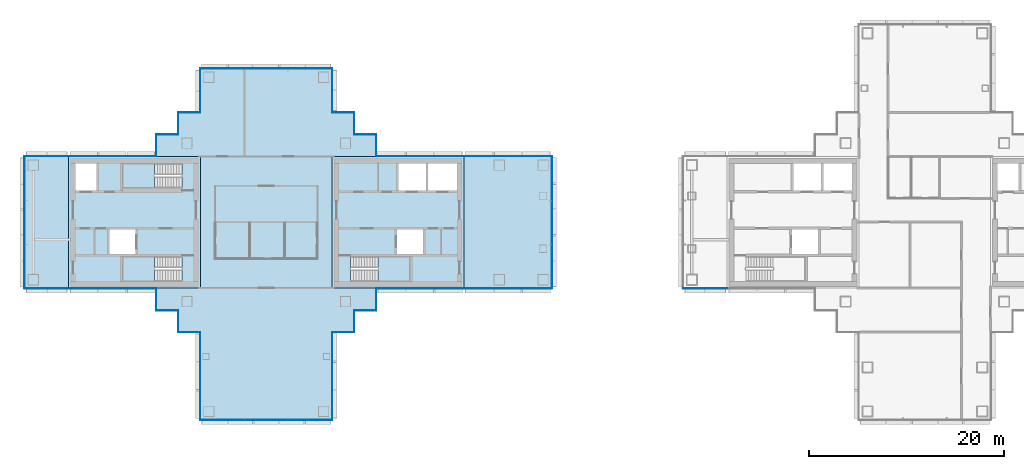
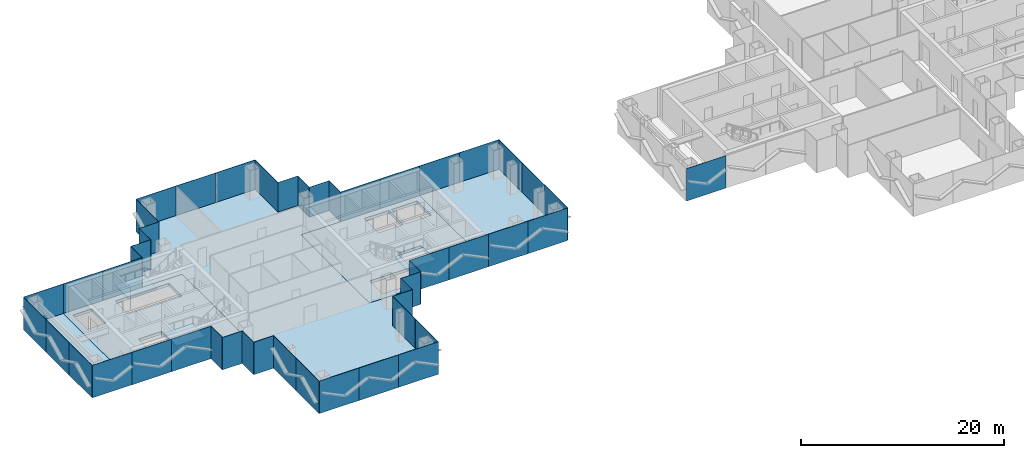
# One storey, part 7 of 16: 49 plates, 8 slabs, 24 elements without a shape of their own.
"""IFC4 building model written with IfcOpenShell, lengths in metres."""

from ifc_helpers import new_model, si_unit, direction, frame, origin, origin_2d, place, context, subcontext, project, spatial, polyline, rectangle, outline, extrude, material, layer, layer_set, type_object, element, aggregate, save


model = new_model("IFC4")

# Units and contexts
model_context = context("Model", 3, precision=1e-05, world=origin(), true_north=direction((0.0, 1.0)))
body_context = subcontext(model_context, "Body", "Model", "MODEL_VIEW")
ifc_project = project(units=[si_unit("LENGTHUNIT", "METRE"), si_unit("AREAUNIT", "SQUARE_METRE"), si_unit("VOLUMEUNIT", "CUBIC_METRE"), si_unit("PLANEANGLEUNIT", "RADIAN"), si_unit("MASSUNIT", "GRAM", prefix="KILO")], contexts=[model_context])

# Site, building, storey
site_placement = place(None, origin())
site = spatial("IfcSite", under=ifc_project, at=site_placement, CompositionType="ELEMENT")
building_placement = place(site_placement, origin())
building = spatial("IfcBuilding", under=site, at=building_placement, Name="Shamsa Quay Exchange Towers", CompositionType="ELEMENT")
storey_placement = place(building_placement, frame((0.0, 0.0, 162.300048828125)))
storey = spatial("IfcBuildingStorey", under=building, at=storey_placement, Name="L38", CompositionType="ELEMENT", Elevation=162.300048828125)

# Slabs
ifc_material_1 = material(Name="Concrete C50/60", Category="concrete")
ifc_layer_1 = layer(ifc_material_1, 0.35009765625)
ifc_layer_set_1 = layer_set([ifc_layer_1], Name="CORE FLOOR 350 C50/60")
slab_type_1 = type_object("IfcSlabType", Name="CORE FLOOR 350 C50/60", PredefinedType="FLOOR", material=ifc_layer_set_1)
slab_1_placement = place(storey_placement, frame((0.0, 0.0, -0.35009765625)))
element("IfcSlab", 1, at=slab_1_placement, inside=storey, type_object=slab_type_1, Name="Core floor T1A", PredefinedType="FLOOR", context=body_context, shape_type="SweptSolid", body=[
    extrude(outline(polyline([(-27.0, -6.75), (-13.5, -6.75), (-13.5, 6.75), (-27.0, 6.75), (-27.0, -6.75)]), holes=[polyline([(-25.099365234375, -6.050048828125), (-25.099365234375, -3.5), (-19.0, -3.5), (-19.0, -6.050048828125), (-25.099365234375, -6.050048828125)]), polyline([(-20.199951171875, 3.25), (-20.199951171875, 6.050048828125), (-17.39990234375, 6.050048828125), (-17.39990234375, 3.25), (-20.199951171875, 3.25)]), polyline([(-17.14990234375, 3.25), (-17.14990234375, 6.050048828125), (-14.199951171875, 6.050048828125), (-14.199951171875, 3.25), (-17.14990234375, 3.25)]), polyline([(-20.35009765625, -3.25), (-20.35009765625, -0.75), (-17.699951171875, -0.75), (-17.699951171875, -3.25), (-20.35009765625, -3.25)])]), origin(), (0.0, 0.0, 1.0), 0.35009765625),
])
slab_2_placement = place(storey_placement, frame((0.0, 0.0, -0.35009765625)))
element("IfcSlab", 2, at=slab_2_placement, inside=storey, type_object=slab_type_1, Name="Core floor T1B", PredefinedType="FLOOR", context=body_context, shape_type="SweptSolid", body=[
    extrude(outline(polyline([(-40.5, -6.75), (-40.5, 6.75), (-54.0, 6.75), (-54.0, -6.75), (-40.5, -6.75)]), holes=[polyline([(-42.400634765625, -3.5), (-42.400634765625, -6.050048828125), (-48.5, -6.050048828125), (-48.5, -3.5), (-42.400634765625, -3.5)]), polyline([(-42.400634765625, 6.050048828125), (-42.400634765625, 3.5), (-48.5, 3.5), (-48.5, 6.050048828125), (-42.400634765625, 6.050048828125)]), polyline([(-51.14990234375, 3.25), (-53.300048828125, 3.25), (-53.300048828125, 6.050048828125), (-51.14990234375, 6.050048828125), (-51.14990234375, 3.25)]), polyline([(-47.14990234375, -3.25), (-49.800048828125, -3.25), (-49.800048828125, -0.75), (-47.14990234375, -0.75), (-47.14990234375, -3.25)])]), origin(), (0.0, 0.0, 1.0), 0.35009765625),
])

# Stair, slab
ifc_material_2 = material(Name="Concrete C40/50", Category="concrete")
stair_type = type_object("IfcStairType", Name="EXIT STAIR 22 RISERS 177 MM", PredefinedType="HALF_TURN_STAIR", material=ifc_material_2)
stair_1_placement = place(storey_placement, origin())
stair_1 = element("IfcStair", 3, at=stair_1_placement, inside=storey, type_object=stair_type, Name="L38 Exit stair ST1", PredefinedType="HALF_TURN_STAIR")
ifc_layer_2 = layer(ifc_material_2, 0.199951171875)
ifc_layer_set_2 = layer_set([ifc_layer_2], Name="CORE STAIR LANDING")
slab_type_2 = type_object("IfcSlabType", Name="CORE STAIR LANDING", PredefinedType="LANDING", material=ifc_layer_set_2)
slab_3_placement = place(storey_placement, frame((0.0, 0.0, 1.75)))
slab_3 = element("IfcSlab", 4, at=slab_3_placement, type_object=slab_type_2, Name="ST1 landing 1", PredefinedType="LANDING", context=body_context, shape_type="SweptSolid", body=[
    extrude(outline(polyline([(-22.300048828125, -6.050048828125), (-19.0, -6.050048828125), (-19.0, -3.5), (-22.300048828125, -3.5), (-22.300048828125, -6.050048828125)])), origin(), (0.0, 0.0, 1.0), 0.199951171875),
])
aggregate(stair_1, [slab_3])

stair_2_placement = place(storey_placement, origin())
stair_2 = element("IfcStair", 5, at=stair_2_placement, inside=storey, type_object=stair_type, Name="L38 Exit stair ST2", PredefinedType="HALF_TURN_STAIR")
slab_4_placement = place(storey_placement, frame((0.0, 0.0, 1.75)))
slab_4 = element("IfcSlab", 6, at=slab_4_placement, type_object=slab_type_2, Name="ST2 landing 1", PredefinedType="LANDING", context=body_context, shape_type="SweptSolid", body=[
    extrude(outline(polyline([(-45.199951171875, -3.5), (-48.5, -3.5), (-48.5, -6.050048828125), (-45.199951171875, -6.050048828125), (-45.199951171875, -3.5)])), origin(), (0.0, 0.0, 1.0), 0.199951171875),
])
aggregate(stair_2, [slab_4])

stair_3_placement = place(storey_placement, origin())
stair_3 = element("IfcStair", 7, at=stair_3_placement, inside=storey, type_object=stair_type, Name="L38 Exit stair ST3", PredefinedType="HALF_TURN_STAIR")
slab_5_placement = place(storey_placement, frame((0.0, 0.0, 1.75)))
slab_5 = element("IfcSlab", 8, at=slab_5_placement, type_object=slab_type_2, Name="ST3 landing 1", PredefinedType="LANDING", context=body_context, shape_type="SweptSolid", body=[
    extrude(outline(polyline([(-45.199951171875, 6.050048828125), (-48.5, 6.050048828125), (-48.5, 3.5), (-45.199951171875, 3.5), (-45.199951171875, 6.050048828125)])), origin(), (0.0, 0.0, 1.0), 0.199951171875),
])
aggregate(stair_3, [slab_5])

# Curtain wall, plates
ifc_material_3 = material(Name="Aluminium EN AW-6063 T6, black anodised", Category="aluminium")
ifc_layer_3 = layer(ifc_material_3, 0.280029296875)
ifc_layer_set_3 = layer_set([ifc_layer_3], Name="CW-1 UNITISED VISION GLASS")
curtain_wall_type_1 = type_object("IfcCurtainWallType", Name="CW-1 UNITISED VISION GLASS", PredefinedType="NOTDEFINED", material=ifc_layer_set_3)
curtain_wall_1_placement = place(storey_placement, origin())
curtain_wall_1 = element("IfcCurtainWall", 9, at=curtain_wall_1_placement, inside=storey, type_object=curtain_wall_type_1, Name="CW1 T1-FLK-V-W L38", PredefinedType="NOTDEFINED")
ifc_material_4 = material(Name="Glass, laminated, dark tinted", Category="glass")
ifc_layer_4 = layer(ifc_material_4, 0.0400390625)
ifc_layer_set_4 = layer_set([ifc_layer_4], Name="CW-1 VISION GLASS 40")
plate_type_1 = type_object("IfcPlateType", Name="CW-1 VISION GLASS 40", PredefinedType="CURTAIN_PANEL", material=ifc_layer_set_4)
plate_1_placement = place(storey_placement, frame((-40.52001953125, -13.52587890625, -0.35009765625), z_axis=(0.0, 0.0, 1.0), x_axis=(0.0, -1.0, 0.0)))
plate_1 = element("IfcPlate", 10, at=plate_1_placement, type_object=plate_type_1, Name="CW1 glass panel", PredefinedType="CURTAIN_PANEL", context=body_context, shape_type="SweptSolid", body=[
    extrude(rectangle(XDim=4.47607421875, YDim=0.0400390625, at=origin_2d()), origin(), (0.0, 0.0, 1.0), 3.89990234375),
])
plate_2_placement = place(storey_placement, frame((-40.52001953125, -18.011962890625, -0.35009765625), z_axis=(0.0, 0.0, 1.0), x_axis=(0.0, -1.0, 0.0)))
plate_2 = element("IfcPlate", 11, at=plate_2_placement, type_object=plate_type_1, Name="CW1 glass panel", PredefinedType="CURTAIN_PANEL", context=body_context, shape_type="SweptSolid", body=[
    extrude(rectangle(XDim=4.47607421875, YDim=0.0400390625, at=origin_2d()), origin(), (0.0, 0.0, 1.0), 3.89990234375),
])
aggregate(curtain_wall_1, [plate_1, plate_2])

curtain_wall_2_placement = place(storey_placement, origin())
curtain_wall_2 = element("IfcCurtainWall", 12, at=curtain_wall_2_placement, inside=storey, type_object=curtain_wall_type_1, Name="CW1 T1-END-V- L38", PredefinedType="NOTDEFINED")
plate_3_placement = place(storey_placement, frame((-38.25244140625, -20.27001953125, -0.35009765625)))
plate_3 = element("IfcPlate", 13, at=plate_3_placement, type_object=plate_type_1, Name="CW1 glass panel", PredefinedType="CURTAIN_PANEL", context=body_context, shape_type="SweptSolid", body=[
    extrude(rectangle(XDim=4.4951171875, YDim=0.0400390625, at=origin_2d()), origin(), (0.0, 0.0, 1.0), 3.89990234375),
])
plate_4_placement = place(storey_placement, frame((-33.75, -20.27001953125, -0.35009765625)))
plate_4 = element("IfcPlate", 14, at=plate_4_placement, type_object=plate_type_1, Name="CW1 glass panel", PredefinedType="CURTAIN_PANEL", context=body_context, shape_type="SweptSolid", body=[
    extrude(rectangle(XDim=4.489990234375, YDim=0.0400390625, at=origin_2d()), origin(), (0.0, 0.0, 1.0), 3.89990234375),
])
plate_5_placement = place(storey_placement, frame((-29.24755859375, -20.27001953125, -0.35009765625)))
plate_5 = element("IfcPlate", 15, at=plate_5_placement, type_object=plate_type_1, Name="CW1 glass panel", PredefinedType="CURTAIN_PANEL", context=body_context, shape_type="SweptSolid", body=[
    extrude(rectangle(XDim=4.4951171875, YDim=0.0400390625, at=origin_2d()), origin(), (0.0, 0.0, 1.0), 3.89990234375),
])
aggregate(curtain_wall_2, [plate_3, plate_4, plate_5])

curtain_wall_3_placement = place(storey_placement, origin())
curtain_wall_3 = element("IfcCurtainWall", 16, at=curtain_wall_3_placement, inside=storey, type_object=curtain_wall_type_1, Name="CW1 T1-FLK-V-E L38", PredefinedType="NOTDEFINED")
plate_6_placement = place(storey_placement, frame((-26.97998046875, -18.00244140625, -0.35009765625), z_axis=(0.0, 0.0, 1.0), x_axis=(0.0, 1.0, 0.0)))
plate_6 = element("IfcPlate", 17, at=plate_6_placement, type_object=plate_type_1, Name="CW1 glass panel", PredefinedType="CURTAIN_PANEL", context=body_context, shape_type="SweptSolid", body=[
    extrude(rectangle(XDim=4.4951171875, YDim=0.0400390625, at=origin_2d()), origin(), (0.0, 0.0, 1.0), 3.89990234375),
])
plate_7_placement = place(storey_placement, frame((-26.97998046875, -13.49755859375, -0.35009765625), z_axis=(0.0, 0.0, 1.0), x_axis=(0.0, 1.0, 0.0)))
plate_7 = element("IfcPlate", 18, at=plate_7_placement, type_object=plate_type_1, Name="CW1 glass panel", PredefinedType="CURTAIN_PANEL", context=body_context, shape_type="SweptSolid", body=[
    extrude(rectangle(XDim=4.4951171875, YDim=0.0400390625, at=origin_2d()), origin(), (0.0, 0.0, 1.0), 3.89990234375),
])
aggregate(curtain_wall_3, [plate_6, plate_7])

curtain_wall_4_placement = place(storey_placement, origin())
curtain_wall_4 = element("IfcCurtainWall", 19, at=curtain_wall_4_placement, inside=storey, type_object=curtain_wall_type_1, Name="CW1 T1-FLK-U+S L38", PredefinedType="NOTDEFINED")
plate_8_placement = place(storey_placement, frame((-11.25244140625, -6.77001953125, -0.35009765625)))
plate_8 = element("IfcPlate", 20, at=plate_8_placement, type_object=plate_type_1, Name="CW1 glass panel", PredefinedType="CURTAIN_PANEL", context=body_context, shape_type="SweptSolid", body=[
    extrude(rectangle(XDim=4.4951171875, YDim=0.0400390625, at=origin_2d()), origin(), (0.0, 0.0, 1.0), 3.89990234375),
])
plate_9_placement = place(storey_placement, frame((-6.74755859375, -6.77001953125, -0.35009765625)))
plate_9 = element("IfcPlate", 21, at=plate_9_placement, type_object=plate_type_1, Name="CW1 glass panel", PredefinedType="CURTAIN_PANEL", context=body_context, shape_type="SweptSolid", body=[
    extrude(rectangle(XDim=4.4951171875, YDim=0.0400390625, at=origin_2d()), origin(), (0.0, 0.0, 1.0), 3.89990234375),
])
aggregate(curtain_wall_4, [plate_8, plate_9])

curtain_wall_5_placement = place(storey_placement, origin())
curtain_wall_5 = element("IfcCurtainWall", 22, at=curtain_wall_5_placement, inside=storey, type_object=curtain_wall_type_1, Name="CW1 T1-END-U+ L38", PredefinedType="NOTDEFINED")
plate_10_placement = place(storey_placement, frame((-4.47998046875, -4.50244140625, -0.35009765625), z_axis=(0.0, 0.0, 1.0), x_axis=(0.0, 1.0, 0.0)))
plate_10 = element("IfcPlate", 23, at=plate_10_placement, type_object=plate_type_1, Name="CW1 glass panel", PredefinedType="CURTAIN_PANEL", context=body_context, shape_type="SweptSolid", body=[
    extrude(rectangle(XDim=4.4951171875, YDim=0.0400390625, at=origin_2d()), origin(), (0.0, 0.0, 1.0), 3.89990234375),
])
plate_11_placement = place(storey_placement, frame((-4.47998046875, 0.0, -0.35009765625), z_axis=(0.0, 0.0, 1.0), x_axis=(0.0, 1.0, 0.0)))
plate_11 = element("IfcPlate", 24, at=plate_11_placement, type_object=plate_type_1, Name="CW1 glass panel", PredefinedType="CURTAIN_PANEL", context=body_context, shape_type="SweptSolid", body=[
    extrude(rectangle(XDim=4.489990234375, YDim=0.0400390625, at=origin_2d()), origin(), (0.0, 0.0, 1.0), 3.89990234375),
])
plate_12_placement = place(storey_placement, frame((-4.47998046875, 4.50244140625, -0.35009765625), z_axis=(0.0, 0.0, 1.0), x_axis=(0.0, 1.0, 0.0)))
plate_12 = element("IfcPlate", 25, at=plate_12_placement, type_object=plate_type_1, Name="CW1 glass panel", PredefinedType="CURTAIN_PANEL", context=body_context, shape_type="SweptSolid", body=[
    extrude(rectangle(XDim=4.4951171875, YDim=0.0400390625, at=origin_2d()), origin(), (0.0, 0.0, 1.0), 3.89990234375),
])
aggregate(curtain_wall_5, [plate_10, plate_11, plate_12])

curtain_wall_6_placement = place(storey_placement, origin())
curtain_wall_6 = element("IfcCurtainWall", 26, at=curtain_wall_6_placement, inside=storey, type_object=curtain_wall_type_1, Name="CW1 T1-FLK-U+N L38", PredefinedType="NOTDEFINED")
plate_13_placement = place(storey_placement, frame((-6.74755859375, 6.77001953125, -0.35009765625), z_axis=(0.0, 0.0, 1.0), x_axis=(-1.0, 0.0, 0.0)))
plate_13 = element("IfcPlate", 27, at=plate_13_placement, type_object=plate_type_1, Name="CW1 glass panel", PredefinedType="CURTAIN_PANEL", context=body_context, shape_type="SweptSolid", body=[
    extrude(rectangle(XDim=4.4951171875, YDim=0.0400390625, at=origin_2d()), origin(), (0.0, 0.0, 1.0), 3.89990234375),
])
plate_14_placement = place(storey_placement, frame((-11.25244140625, 6.77001953125, -0.35009765625), z_axis=(0.0, 0.0, 1.0), x_axis=(-1.0, 0.0, 0.0)))
plate_14 = element("IfcPlate", 28, at=plate_14_placement, type_object=plate_type_1, Name="CW1 glass panel", PredefinedType="CURTAIN_PANEL", context=body_context, shape_type="SweptSolid", body=[
    extrude(rectangle(XDim=4.4951171875, YDim=0.0400390625, at=origin_2d()), origin(), (0.0, 0.0, 1.0), 3.89990234375),
])
aggregate(curtain_wall_6, [plate_13, plate_14])

# Curtain wall, plate
curtain_wall_7_placement = place(storey_placement, origin())
curtain_wall_7 = element("IfcCurtainWall", 29, at=curtain_wall_7_placement, inside=storey, type_object=curtain_wall_type_1, Name="CW1 T1-FLK-V+E L38", PredefinedType="NOTDEFINED")
plate_15_placement = place(storey_placement, frame((-26.97998046875, 13.51904296875, -0.35009765625), z_axis=(0.0, 0.0, 1.0), x_axis=(0.0, 1.0, 0.0)))
plate_15 = element("IfcPlate", 30, at=plate_15_placement, type_object=plate_type_1, Name="CW1 glass panel", PredefinedType="CURTAIN_PANEL", context=body_context, shape_type="SweptSolid", body=[
    extrude(rectangle(XDim=4.4619140625, YDim=0.0400390625, at=origin_2d()), origin(), (0.0, 0.0, 1.0), 3.89990234375),
])
aggregate(curtain_wall_7, [plate_15])

# Curtain wall, plates
curtain_wall_8_placement = place(storey_placement, origin())
curtain_wall_8 = element("IfcCurtainWall", 31, at=curtain_wall_8_placement, inside=storey, type_object=curtain_wall_type_1, Name="CW1 T1-END-V+ L38", PredefinedType="NOTDEFINED")
plate_16_placement = place(storey_placement, frame((-29.24755859375, 15.77001953125, -0.35009765625), z_axis=(0.0, 0.0, 1.0), x_axis=(-1.0, 0.0, 0.0)))
plate_16 = element("IfcPlate", 32, at=plate_16_placement, type_object=plate_type_1, Name="CW1 glass panel", PredefinedType="CURTAIN_PANEL", context=body_context, shape_type="SweptSolid", body=[
    extrude(rectangle(XDim=4.4951171875, YDim=0.0400390625, at=origin_2d()), origin(), (0.0, 0.0, 1.0), 3.89990234375),
])
plate_17_placement = place(storey_placement, frame((-33.75, 15.77001953125, -0.35009765625), z_axis=(0.0, 0.0, 1.0), x_axis=(-1.0, 0.0, 0.0)))
plate_17 = element("IfcPlate", 33, at=plate_17_placement, type_object=plate_type_1, Name="CW1 glass panel", PredefinedType="CURTAIN_PANEL", context=body_context, shape_type="SweptSolid", body=[
    extrude(rectangle(XDim=4.489990234375, YDim=0.0400390625, at=origin_2d()), origin(), (0.0, 0.0, 1.0), 3.89990234375),
])
plate_18_placement = place(storey_placement, frame((-38.25244140625, 15.77001953125, -0.35009765625), z_axis=(0.0, 0.0, 1.0), x_axis=(-1.0, 0.0, 0.0)))
plate_18 = element("IfcPlate", 34, at=plate_18_placement, type_object=plate_type_1, Name="CW1 glass panel", PredefinedType="CURTAIN_PANEL", context=body_context, shape_type="SweptSolid", body=[
    extrude(rectangle(XDim=4.4951171875, YDim=0.0400390625, at=origin_2d()), origin(), (0.0, 0.0, 1.0), 3.89990234375),
])
aggregate(curtain_wall_8, [plate_16, plate_17, plate_18])

# Curtain wall, plate
curtain_wall_9_placement = place(storey_placement, origin())
curtain_wall_9 = element("IfcCurtainWall", 35, at=curtain_wall_9_placement, inside=storey, type_object=curtain_wall_type_1, Name="CW1 T1-FLK-V+W L38", PredefinedType="NOTDEFINED")
plate_19_placement = place(storey_placement, frame((-40.52001953125, 13.5, -0.35009765625), z_axis=(0.0, 0.0, 1.0), x_axis=(0.0, -1.0, 0.0)))
plate_19 = element("IfcPlate", 36, at=plate_19_placement, type_object=plate_type_1, Name="CW1 glass panel", PredefinedType="CURTAIN_PANEL", context=body_context, shape_type="SweptSolid", body=[
    extrude(rectangle(XDim=4.5, YDim=0.0400390625, at=origin_2d()), origin(), (0.0, 0.0, 1.0), 3.89990234375),
])
aggregate(curtain_wall_9, [plate_19])

curtain_wall_10_placement = place(storey_placement, origin())
curtain_wall_10 = element("IfcCurtainWall", 37, at=curtain_wall_10_placement, inside=storey, type_object=curtain_wall_type_1, Name="CW1 T1-FLK-U-N L38", PredefinedType="NOTDEFINED")
plate_20_placement = place(storey_placement, frame((-56.25, 6.77001953125, -0.35009765625), z_axis=(0.0, 0.0, 1.0), x_axis=(-1.0, 0.0, 0.0)))
plate_20 = element("IfcPlate", 38, at=plate_20_placement, type_object=plate_type_1, Name="CW1 glass panel", PredefinedType="CURTAIN_PANEL", context=body_context, shape_type="SweptSolid", body=[
    extrude(rectangle(XDim=4.5, YDim=0.0400390625, at=origin_2d()), origin(), (0.0, 0.0, 1.0), 3.89990234375),
])
aggregate(curtain_wall_10, [plate_20])

# Curtain wall, plates
curtain_wall_11_placement = place(storey_placement, origin())
curtain_wall_11 = element("IfcCurtainWall", 39, at=curtain_wall_11_placement, inside=storey, type_object=curtain_wall_type_1, Name="CW1 T1-END-U- L38", PredefinedType="NOTDEFINED")
plate_21_placement = place(storey_placement, frame((-58.52001953125, 4.50244140625, -0.35009765625), z_axis=(0.0, 0.0, 1.0), x_axis=(0.0, -1.0, 0.0)))
plate_21 = element("IfcPlate", 40, at=plate_21_placement, type_object=plate_type_1, Name="CW1 glass panel", PredefinedType="CURTAIN_PANEL", context=body_context, shape_type="SweptSolid", body=[
    extrude(rectangle(XDim=4.4951171875, YDim=0.0400390625, at=origin_2d()), origin(), (0.0, 0.0, 1.0), 3.89990234375),
])
plate_22_placement = place(storey_placement, frame((-58.52001953125, 0.0, -0.35009765625), z_axis=(0.0, 0.0, 1.0), x_axis=(0.0, -1.0, 0.0)))
plate_22 = element("IfcPlate", 41, at=plate_22_placement, type_object=plate_type_1, Name="CW1 glass panel", PredefinedType="CURTAIN_PANEL", context=body_context, shape_type="SweptSolid", body=[
    extrude(rectangle(XDim=4.489990234375, YDim=0.0400390625, at=origin_2d()), origin(), (0.0, 0.0, 1.0), 3.89990234375),
])
plate_23_placement = place(storey_placement, frame((-58.52001953125, -4.50244140625, -0.35009765625), z_axis=(0.0, 0.0, 1.0), x_axis=(0.0, -1.0, 0.0)))
plate_23 = element("IfcPlate", 42, at=plate_23_placement, type_object=plate_type_1, Name="CW1 glass panel", PredefinedType="CURTAIN_PANEL", context=body_context, shape_type="SweptSolid", body=[
    extrude(rectangle(XDim=4.4951171875, YDim=0.0400390625, at=origin_2d()), origin(), (0.0, 0.0, 1.0), 3.89990234375),
])
aggregate(curtain_wall_11, [plate_21, plate_22, plate_23])

# Curtain wall, plate
curtain_wall_12_placement = place(storey_placement, origin())
curtain_wall_12 = element("IfcCurtainWall", 43, at=curtain_wall_12_placement, inside=storey, type_object=curtain_wall_type_1, Name="CW1 T1-FLK-U-S L38", PredefinedType="NOTDEFINED")
plate_24_placement = place(storey_placement, frame((-56.25, -6.77001953125, -0.35009765625)))
plate_24 = element("IfcPlate", 44, at=plate_24_placement, type_object=plate_type_1, Name="CW1 glass panel", PredefinedType="CURTAIN_PANEL", context=body_context, shape_type="SweptSolid", body=[
    extrude(rectangle(XDim=4.5, YDim=0.0400390625, at=origin_2d()), origin(), (0.0, 0.0, 1.0), 3.89990234375),
])
aggregate(curtain_wall_12, [plate_24])

curtain_wall_13_placement = place(storey_placement, origin())
curtain_wall_13 = element("IfcCurtainWall", 45, at=curtain_wall_13_placement, inside=storey, type_object=curtain_wall_type_1, Name="CW1 T2-FLK-V+W L38", PredefinedType="NOTDEFINED")
plate_25_placement = place(storey_placement, frame((11.25, -6.77001953125, -0.35009765625)))
plate_25 = element("IfcPlate", 46, at=plate_25_placement, type_object=plate_type_1, Name="CW1 glass panel", PredefinedType="CURTAIN_PANEL", context=body_context, shape_type="SweptSolid", body=[
    extrude(rectangle(XDim=4.5, YDim=0.0400390625, at=origin_2d()), origin(), (0.0, 0.0, 1.0), 3.89990234375),
])
aggregate(curtain_wall_13, [plate_25])

# Curtain wall, plates
ifc_layer_5 = layer(ifc_material_3, 0.303955078125)
ifc_layer_set_5 = layer_set([ifc_layer_5], Name="CW-2 UNITISED OPAQUE SPANDREL GLASS")
curtain_wall_type_2 = type_object("IfcCurtainWallType", Name="CW-2 UNITISED OPAQUE SPANDREL GLASS", PredefinedType="NOTDEFINED", material=ifc_layer_set_5)
curtain_wall_14_placement = place(storey_placement, origin())
curtain_wall_14 = element("IfcCurtainWall", 47, at=curtain_wall_14_placement, inside=storey, type_object=curtain_wall_type_2, Name="CW2 T1-FLK-U+S L38", PredefinedType="NOTDEFINED")
ifc_material_5 = material(Name="Glass, laminated, black enamelled opaque", Category="glass")
ifc_layer_6 = layer(ifc_material_5, 0.0439453125)
ifc_layer_set_6 = layer_set([ifc_layer_6], Name="CW-2 SPANDREL GLASS 44")
plate_type_2 = type_object("IfcPlateType", Name="CW-2 SPANDREL GLASS 44", PredefinedType="CURTAIN_PANEL", material=ifc_layer_set_6)
plate_26_placement = place(storey_placement, frame((-20.22412109375, -6.77197265625, -0.35009765625)))
plate_26 = element("IfcPlate", 48, at=plate_26_placement, type_object=plate_type_2, Name="CW2 glass panel", PredefinedType="CURTAIN_PANEL", context=body_context, shape_type="SweptSolid", body=[
    extrude(rectangle(XDim=4.47607421875, YDim=0.0439453125, at=origin_2d()), origin(), (0.0, 0.0, 1.0), 3.89990234375),
])
plate_27_placement = place(storey_placement, frame((-15.738037109375, -6.77197265625, -0.35009765625)))
plate_27 = element("IfcPlate", 49, at=plate_27_placement, type_object=plate_type_2, Name="CW2 glass panel", PredefinedType="CURTAIN_PANEL", context=body_context, shape_type="SweptSolid", body=[
    extrude(rectangle(XDim=4.47607421875, YDim=0.0439453125, at=origin_2d()), origin(), (0.0, 0.0, 1.0), 3.89990234375),
])
aggregate(curtain_wall_14, [plate_26, plate_27])

curtain_wall_15_placement = place(storey_placement, origin())
curtain_wall_15 = element("IfcCurtainWall", 50, at=curtain_wall_15_placement, inside=storey, type_object=curtain_wall_type_2, Name="CW2 T1-FLK-U+N L38", PredefinedType="NOTDEFINED")
plate_28_placement = place(storey_placement, frame((-15.74755859375, 6.77197265625, -0.35009765625), z_axis=(0.0, 0.0, 1.0), x_axis=(-1.0, 0.0, 0.0)))
plate_28 = element("IfcPlate", 51, at=plate_28_placement, type_object=plate_type_2, Name="CW2 glass panel", PredefinedType="CURTAIN_PANEL", context=body_context, shape_type="SweptSolid", body=[
    extrude(rectangle(XDim=4.4951171875, YDim=0.0439453125, at=origin_2d()), origin(), (0.0, 0.0, 1.0), 3.89990234375),
])
plate_29_placement = place(storey_placement, frame((-20.25244140625, 6.77197265625, -0.35009765625), z_axis=(0.0, 0.0, 1.0), x_axis=(-1.0, 0.0, 0.0)))
plate_29 = element("IfcPlate", 52, at=plate_29_placement, type_object=plate_type_2, Name="CW2 glass panel", PredefinedType="CURTAIN_PANEL", context=body_context, shape_type="SweptSolid", body=[
    extrude(rectangle(XDim=4.4951171875, YDim=0.0439453125, at=origin_2d()), origin(), (0.0, 0.0, 1.0), 3.89990234375),
])
aggregate(curtain_wall_15, [plate_28, plate_29])

curtain_wall_16_placement = place(storey_placement, origin())
curtain_wall_16 = element("IfcCurtainWall", 53, at=curtain_wall_16_placement, inside=storey, type_object=curtain_wall_type_2, Name="CW2 T1-FLK-U-N L38", PredefinedType="NOTDEFINED")
plate_30_placement = place(storey_placement, frame((-47.27587890625, 6.77197265625, -0.35009765625), z_axis=(0.0, 0.0, 1.0), x_axis=(-1.0, 0.0, 0.0)))
plate_30 = element("IfcPlate", 54, at=plate_30_placement, type_object=plate_type_2, Name="CW2 glass panel", PredefinedType="CURTAIN_PANEL", context=body_context, shape_type="SweptSolid", body=[
    extrude(rectangle(XDim=4.47607421875, YDim=0.0439453125, at=origin_2d()), origin(), (0.0, 0.0, 1.0), 3.89990234375),
])
plate_31_placement = place(storey_placement, frame((-51.761962890625, 6.77197265625, -0.35009765625), z_axis=(0.0, 0.0, 1.0), x_axis=(-1.0, 0.0, 0.0)))
plate_31 = element("IfcPlate", 55, at=plate_31_placement, type_object=plate_type_2, Name="CW2 glass panel", PredefinedType="CURTAIN_PANEL", context=body_context, shape_type="SweptSolid", body=[
    extrude(rectangle(XDim=4.47607421875, YDim=0.0439453125, at=origin_2d()), origin(), (0.0, 0.0, 1.0), 3.89990234375),
])
aggregate(curtain_wall_16, [plate_30, plate_31])

curtain_wall_17_placement = place(storey_placement, origin())
curtain_wall_17 = element("IfcCurtainWall", 56, at=curtain_wall_17_placement, inside=storey, type_object=curtain_wall_type_2, Name="CW2 T1-FLK-U-S L38", PredefinedType="NOTDEFINED")
plate_32_placement = place(storey_placement, frame((-51.75244140625, -6.77197265625, -0.35009765625)))
plate_32 = element("IfcPlate", 57, at=plate_32_placement, type_object=plate_type_2, Name="CW2 glass panel", PredefinedType="CURTAIN_PANEL", context=body_context, shape_type="SweptSolid", body=[
    extrude(rectangle(XDim=4.4951171875, YDim=0.0439453125, at=origin_2d()), origin(), (0.0, 0.0, 1.0), 3.89990234375),
])
plate_33_placement = place(storey_placement, frame((-47.24755859375, -6.77197265625, -0.35009765625)))
plate_33 = element("IfcPlate", 58, at=plate_33_placement, type_object=plate_type_2, Name="CW2 glass panel", PredefinedType="CURTAIN_PANEL", context=body_context, shape_type="SweptSolid", body=[
    extrude(rectangle(XDim=4.4951171875, YDim=0.0439453125, at=origin_2d()), origin(), (0.0, 0.0, 1.0), 3.89990234375),
])
aggregate(curtain_wall_17, [plate_32, plate_33])

ifc_layer_7 = layer(ifc_material_3, 0.256103515625)
ifc_layer_set_7 = layer_set([ifc_layer_7], Name="CW-4 POCKET SERRATED GLAZING")
curtain_wall_type_3 = type_object("IfcCurtainWallType", Name="CW-4 POCKET SERRATED GLAZING", PredefinedType="NOTDEFINED", material=ifc_layer_set_7)
curtain_wall_18_placement = place(storey_placement, origin())
curtain_wall_18 = element("IfcCurtainWall", 59, at=curtain_wall_18_placement, inside=storey, type_object=curtain_wall_type_3, Name="CW4 PKWS L38", PredefinedType="NOTDEFINED")
ifc_layer_8 = layer(ifc_material_4, 0.035888671875)
ifc_layer_set_8 = layer_set([ifc_layer_8], Name="CW-4 POCKET GLASS 36")
plate_type_3 = type_object("IfcPlateType", Name="CW-4 POCKET GLASS 36", PredefinedType="CURTAIN_PANEL", material=ifc_layer_set_8)
plate_34_placement = place(storey_placement, frame((-42.76806640625, -10.14404296875, -0.35009765625), z_axis=(0.0, 0.0, 1.0), x_axis=(0.0, -1.0, 0.0)))
plate_34 = element("IfcPlate", 60, at=plate_34_placement, type_object=plate_type_3, Name="CW4 glass panel", PredefinedType="CURTAIN_PANEL", context=body_context, shape_type="SweptSolid", body=[
    extrude(rectangle(XDim=2.2119140625, YDim=0.035888671875, at=origin_2d()), origin(), (0.0, 0.0, 1.0), 3.89990234375),
])
plate_35_placement = place(storey_placement, frame((-41.625, -11.26806640625, -0.35009765625)))
plate_35 = element("IfcPlate", 61, at=plate_35_placement, type_object=plate_type_3, Name="CW4 glass panel", PredefinedType="CURTAIN_PANEL", context=body_context, shape_type="SweptSolid", body=[
    extrude(rectangle(XDim=2.25, YDim=0.035888671875, at=origin_2d()), origin(), (0.0, 0.0, 1.0), 3.89990234375),
])
plate_36_placement = place(storey_placement, frame((-45.01806640625, -7.89794921875, -0.35009765625), z_axis=(0.0, 0.0, 1.0), x_axis=(0.0, -1.0, 0.0)))
plate_36 = element("IfcPlate", 62, at=plate_36_placement, type_object=plate_type_3, Name="CW4 glass panel", PredefinedType="CURTAIN_PANEL", context=body_context, shape_type="SweptSolid", body=[
    extrude(rectangle(XDim=2.2041015625, YDim=0.035888671875, at=origin_2d()), origin(), (0.0, 0.0, 1.0), 3.89990234375),
])
plate_37_placement = place(storey_placement, frame((-43.875, -9.01806640625, -0.35009765625)))
plate_37 = element("IfcPlate", 63, at=plate_37_placement, type_object=plate_type_3, Name="CW4 glass panel", PredefinedType="CURTAIN_PANEL", context=body_context, shape_type="SweptSolid", body=[
    extrude(rectangle(XDim=2.25, YDim=0.035888671875, at=origin_2d()), origin(), (0.0, 0.0, 1.0), 3.89990234375),
])
aggregate(curtain_wall_18, [plate_34, plate_35, plate_36, plate_37])

curtain_wall_19_placement = place(storey_placement, origin())
curtain_wall_19 = element("IfcCurtainWall", 64, at=curtain_wall_19_placement, inside=storey, type_object=curtain_wall_type_3, Name="CW4 PKES L38", PredefinedType="NOTDEFINED")
plate_38_placement = place(storey_placement, frame((-25.85400390625, -11.26806640625, -0.35009765625)))
plate_38 = element("IfcPlate", 65, at=plate_38_placement, type_object=plate_type_3, Name="CW4 glass panel", PredefinedType="CURTAIN_PANEL", context=body_context, shape_type="SweptSolid", body=[
    extrude(rectangle(XDim=2.2080078125, YDim=0.035888671875, at=origin_2d()), origin(), (0.0, 0.0, 1.0), 3.89990234375),
])
plate_39_placement = place(storey_placement, frame((-24.73193359375, -10.125, -0.35009765625), z_axis=(0.0, 0.0, 1.0), x_axis=(0.0, 1.0, 0.0)))
plate_39 = element("IfcPlate", 66, at=plate_39_placement, type_object=plate_type_3, Name="CW4 glass panel", PredefinedType="CURTAIN_PANEL", context=body_context, shape_type="SweptSolid", body=[
    extrude(rectangle(XDim=2.25, YDim=0.035888671875, at=origin_2d()), origin(), (0.0, 0.0, 1.0), 3.89990234375),
])
plate_40_placement = place(storey_placement, frame((-23.60595703125, -9.01806640625, -0.35009765625)))
plate_40 = element("IfcPlate", 67, at=plate_40_placement, type_object=plate_type_3, Name="CW4 glass panel", PredefinedType="CURTAIN_PANEL", context=body_context, shape_type="SweptSolid", body=[
    extrude(rectangle(XDim=2.2119140625, YDim=0.035888671875, at=origin_2d()), origin(), (0.0, 0.0, 1.0), 3.89990234375),
])
plate_41_placement = place(storey_placement, frame((-22.48193359375, -7.875, -0.35009765625), z_axis=(0.0, 0.0, 1.0), x_axis=(0.0, 1.0, 0.0)))
plate_41 = element("IfcPlate", 68, at=plate_41_placement, type_object=plate_type_3, Name="CW4 glass panel", PredefinedType="CURTAIN_PANEL", context=body_context, shape_type="SweptSolid", body=[
    extrude(rectangle(XDim=2.25, YDim=0.035888671875, at=origin_2d()), origin(), (0.0, 0.0, 1.0), 3.89990234375),
])
aggregate(curtain_wall_19, [plate_38, plate_39, plate_40, plate_41])

curtain_wall_20_placement = place(storey_placement, origin())
curtain_wall_20 = element("IfcCurtainWall", 69, at=curtain_wall_20_placement, inside=storey, type_object=curtain_wall_type_3, Name="CW4 PKEN L38", PredefinedType="NOTDEFINED")
plate_42_placement = place(storey_placement, frame((-22.48193359375, 7.89794921875, -0.35009765625), z_axis=(0.0, 0.0, 1.0), x_axis=(0.0, 1.0, 0.0)))
plate_42 = element("IfcPlate", 70, at=plate_42_placement, type_object=plate_type_3, Name="CW4 glass panel", PredefinedType="CURTAIN_PANEL", context=body_context, shape_type="SweptSolid", body=[
    extrude(rectangle(XDim=2.2041015625, YDim=0.035888671875, at=origin_2d()), origin(), (0.0, 0.0, 1.0), 3.89990234375),
])
plate_43_placement = place(storey_placement, frame((-23.625, 9.01806640625, -0.35009765625), z_axis=(0.0, 0.0, 1.0), x_axis=(-1.0, 0.0, 0.0)))
plate_43 = element("IfcPlate", 71, at=plate_43_placement, type_object=plate_type_3, Name="CW4 glass panel", PredefinedType="CURTAIN_PANEL", context=body_context, shape_type="SweptSolid", body=[
    extrude(rectangle(XDim=2.25, YDim=0.035888671875, at=origin_2d()), origin(), (0.0, 0.0, 1.0), 3.89990234375),
])
plate_44_placement = place(storey_placement, frame((-24.73193359375, 10.14404296875, -0.35009765625), z_axis=(0.0, 0.0, 1.0), x_axis=(0.0, 1.0, 0.0)))
plate_44 = element("IfcPlate", 72, at=plate_44_placement, type_object=plate_type_3, Name="CW4 glass panel", PredefinedType="CURTAIN_PANEL", context=body_context, shape_type="SweptSolid", body=[
    extrude(rectangle(XDim=2.2119140625, YDim=0.035888671875, at=origin_2d()), origin(), (0.0, 0.0, 1.0), 3.89990234375),
])
plate_45_placement = place(storey_placement, frame((-25.875, 11.26806640625, -0.35009765625), z_axis=(0.0, 0.0, 1.0), x_axis=(-1.0, 0.0, 0.0)))
plate_45 = element("IfcPlate", 73, at=plate_45_placement, type_object=plate_type_3, Name="CW4 glass panel", PredefinedType="CURTAIN_PANEL", context=body_context, shape_type="SweptSolid", body=[
    extrude(rectangle(XDim=2.25, YDim=0.035888671875, at=origin_2d()), origin(), (0.0, 0.0, 1.0), 3.89990234375),
])
aggregate(curtain_wall_20, [plate_42, plate_43, plate_44, plate_45])

curtain_wall_21_placement = place(storey_placement, origin())
curtain_wall_21 = element("IfcCurtainWall", 74, at=curtain_wall_21_placement, inside=storey, type_object=curtain_wall_type_3, Name="CW4 PKWN L38", PredefinedType="NOTDEFINED")
plate_46_placement = place(storey_placement, frame((-41.64599609375, 11.26806640625, -0.35009765625), z_axis=(0.0, 0.0, 1.0), x_axis=(-1.0, 0.0, 0.0)))
plate_46 = element("IfcPlate", 75, at=plate_46_placement, type_object=plate_type_3, Name="CW4 glass panel", PredefinedType="CURTAIN_PANEL", context=body_context, shape_type="SweptSolid", body=[
    extrude(rectangle(XDim=2.2080078125, YDim=0.035888671875, at=origin_2d()), origin(), (0.0, 0.0, 1.0), 3.89990234375),
])
plate_47_placement = place(storey_placement, frame((-42.76806640625, 10.125, -0.35009765625), z_axis=(0.0, 0.0, 1.0), x_axis=(0.0, -1.0, 0.0)))
plate_47 = element("IfcPlate", 76, at=plate_47_placement, type_object=plate_type_3, Name="CW4 glass panel", PredefinedType="CURTAIN_PANEL", context=body_context, shape_type="SweptSolid", body=[
    extrude(rectangle(XDim=2.25, YDim=0.035888671875, at=origin_2d()), origin(), (0.0, 0.0, 1.0), 3.89990234375),
])
plate_48_placement = place(storey_placement, frame((-43.89404296875, 9.01806640625, -0.35009765625), z_axis=(0.0, 0.0, 1.0), x_axis=(-1.0, 0.0, 0.0)))
plate_48 = element("IfcPlate", 77, at=plate_48_placement, type_object=plate_type_3, Name="CW4 glass panel", PredefinedType="CURTAIN_PANEL", context=body_context, shape_type="SweptSolid", body=[
    extrude(rectangle(XDim=2.2119140625, YDim=0.035888671875, at=origin_2d()), origin(), (0.0, 0.0, 1.0), 3.89990234375),
])
plate_49_placement = place(storey_placement, frame((-45.01806640625, 7.875, -0.35009765625), z_axis=(0.0, 0.0, 1.0), x_axis=(0.0, -1.0, 0.0)))
plate_49 = element("IfcPlate", 78, at=plate_49_placement, type_object=plate_type_3, Name="CW4 glass panel", PredefinedType="CURTAIN_PANEL", context=body_context, shape_type="SweptSolid", body=[
    extrude(rectangle(XDim=2.25, YDim=0.035888671875, at=origin_2d()), origin(), (0.0, 0.0, 1.0), 3.89990234375),
])
aggregate(curtain_wall_21, [plate_46, plate_47, plate_48, plate_49])

# Slabs
ifc_layer_9 = layer(ifc_material_2, 0.35009765625)
ifc_layer_set_9 = layer_set([ifc_layer_9], Name="Flat slab 350")
slab_type_3 = type_object("IfcSlabType", Name="Flat slab 350", PredefinedType="FLOOR", material=ifc_layer_set_9)
slab_6_placement = place(storey_placement, frame((0.0, 0.0, -0.35009765625)))
element("IfcSlab", 79, at=slab_6_placement, inside=storey, type_object=slab_type_3, Name="Flat slab T1 L38 1", PredefinedType="FLOOR", context=body_context, shape_type="SweptSolid", body=[
    extrude(outline(polyline([(-58.5, -6.75), (-54.0, -6.75), (-54.0, 6.75), (-58.5, 6.75), (-58.5, -6.75)])), origin(), (0.0, 0.0, 1.0), 0.35009765625),
])
slab_7_placement = place(storey_placement, frame((0.0, 0.0, -0.35009765625)))
element("IfcSlab", 80, at=slab_7_placement, inside=storey, type_object=slab_type_3, Name="Flat slab T1 L38 2", PredefinedType="FLOOR", context=body_context, shape_type="SweptSolid", body=[
    extrude(outline(polyline([(-22.5, -9.0), (-22.5, -6.75), (-27.0, -6.75), (-27.0, 6.75), (-22.5, 6.75), (-22.5, 9.0), (-24.75, 9.0), (-24.75, 11.25), (-27.0, 11.25), (-27.0, 15.75), (-40.5, 15.75), (-40.5, 11.25), (-42.75, 11.25), (-42.75, 9.0), (-45.0, 9.0), (-45.0, 6.75), (-40.5, 6.75), (-40.5, -6.75), (-45.0, -6.75), (-45.0, -9.0), (-42.75, -9.0), (-42.75, -11.25), (-40.5, -11.25), (-40.5, -20.25), (-27.0, -20.25), (-27.0, -11.25), (-24.75, -11.25), (-24.75, -9.0), (-22.5, -9.0)])), origin(), (0.0, 0.0, 1.0), 0.35009765625),
])
slab_8_placement = place(storey_placement, frame((0.0, 0.0, -0.35009765625)))
element("IfcSlab", 81, at=slab_8_placement, inside=storey, type_object=slab_type_3, Name="Flat slab T1 L38 3", PredefinedType="FLOOR", context=body_context, shape_type="SweptSolid", body=[
    extrude(outline(polyline([(-4.5, 6.75), (-13.5, 6.75), (-13.5, -6.75), (-4.5, -6.75), (-4.5, 6.75)])), origin(), (0.0, 0.0, 1.0), 0.35009765625),
])

save(model, "model.ifc")
